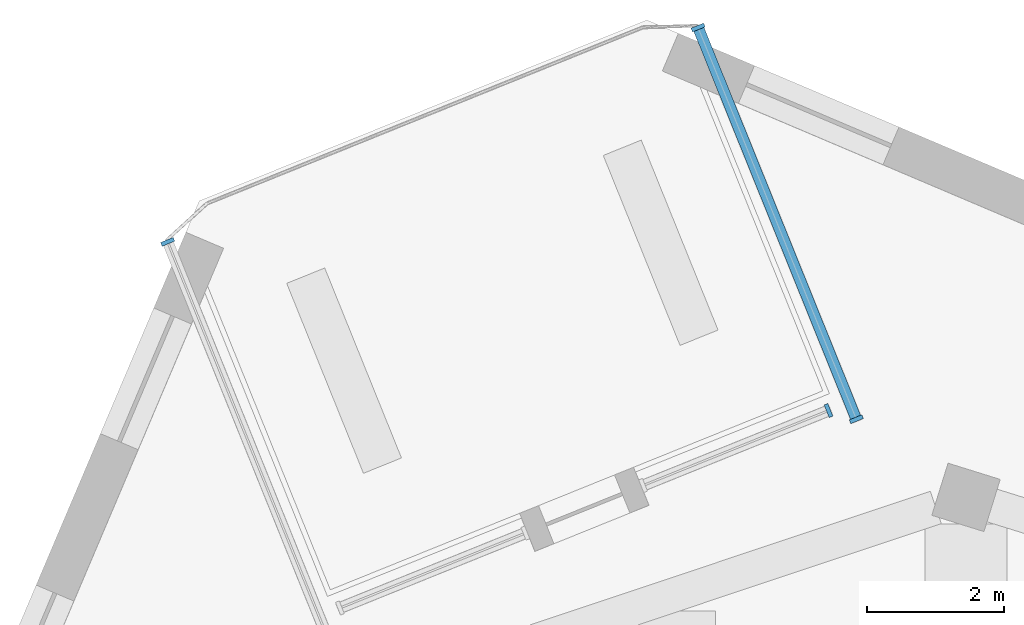
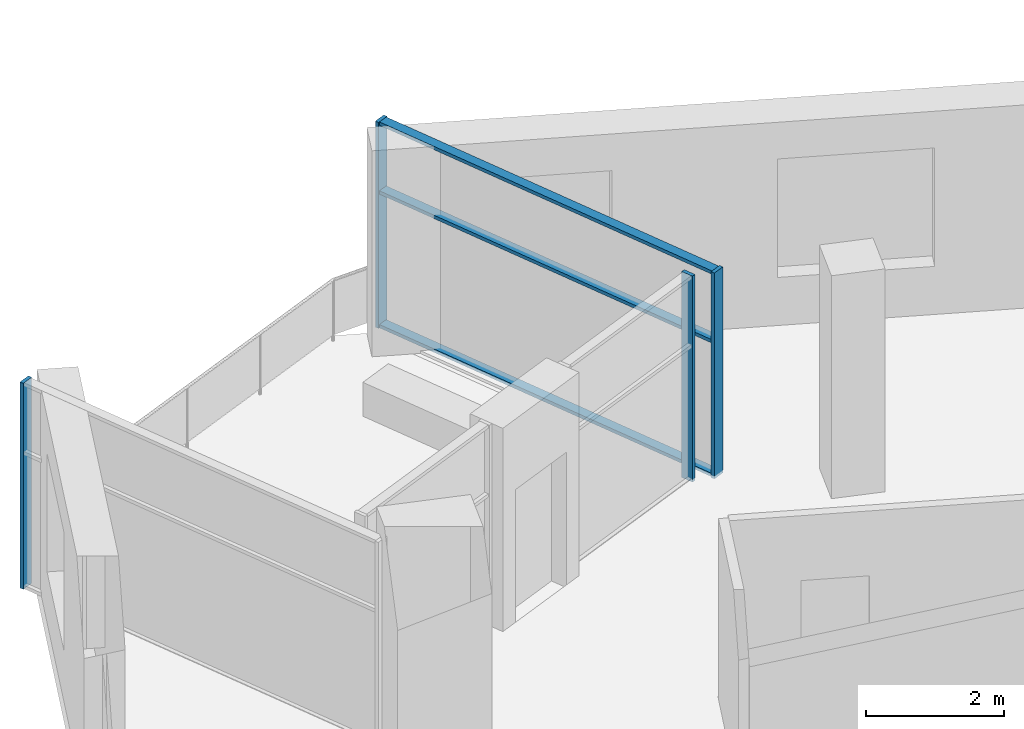
# One storey, part 4 of 13: 7 members, 3 elements without a shape of their own.
"""IFC4 building model written with IfcOpenShell, lengths in metres."""

from ifc_helpers import new_model, si_unit, direction, frame, origin, origin_2d, place, context, subcontext, project, spatial, rectangle, extrude, material, material_profile, profile_set, type_object, element, aggregate, save


model = new_model("IFC4")

# Units and contexts
model_context = context("Model", 3, precision=1e-05, world=origin(), true_north=direction((0.0, 1.0)))
body_context = subcontext(model_context, "Body", "Model", "MODEL_VIEW")
ifc_project = project(units=[si_unit("LENGTHUNIT", "METRE"), si_unit("AREAUNIT", "SQUARE_METRE"), si_unit("VOLUMEUNIT", "CUBIC_METRE"), si_unit("PLANEANGLEUNIT", "RADIAN"), si_unit("MASSUNIT", "GRAM", prefix="KILO")], contexts=[model_context])

# Site, building, storey
site_placement = place(None, origin())
site = spatial("IfcSite", under=ifc_project, at=site_placement, CompositionType="ELEMENT")
building_placement = place(site_placement, origin())
building = spatial("IfcBuilding", under=site, at=building_placement, Name="Dilmun Exchange Tower", CompositionType="ELEMENT")
storey_placement = place(building_placement, frame((0.0, 0.0, 300.5)))
storey = spatial("IfcBuildingStorey", under=building, at=storey_placement, Name="L71", CompositionType="ELEMENT", Elevation=300.5)

# Curtain wall, members
ifc_material_1 = material(Name="Anodised aluminium and clear glass", Category="aluminium")
curtain_wall_type = type_object("IfcCurtainWallType", Name="Garden corner glazing", PredefinedType="NOTDEFINED", material=ifc_material_1)
curtain_wall_1_placement = place(storey_placement, origin())
curtain_wall_1 = element("IfcCurtainWall", 1, at=curtain_wall_1_placement, inside=storey, type_object=curtain_wall_type, Name="Garden corner glazing run GC1.1", PredefinedType="NOTDEFINED")
ifc_material_2 = material(Name="Anodised aluminium", Category="aluminium")
ifc_material_profile_1 = material_profile(ifc_material_2, rectangle(XDim=0.199951171875, YDim=0.06005859375, at=origin_2d()), Name="AL 60x200")
ifc_profile_set_1 = profile_set([ifc_material_profile_1], Name="Anodised aluminium")
member_type_1 = type_object("IfcMemberType", Name="Garden corner glazing mullion 60 x 200", PredefinedType="MULLION", material=ifc_profile_set_1)
member_1_placement = place(storey_placement, frame((-7.779541015625, 36.100341796875, 0.0), z_axis=(0.0, 0.0, 1.0), x_axis=(0.927181535276, 0.374612333812, 0.0)))
member_1 = element("IfcMember", 2, at=member_1_placement, type_object=member_type_1, Name="GC1.1 mullion 1", PredefinedType="MULLION", context=body_context, shape_type="SweptSolid", body=[
    extrude(rectangle(XDim=0.199951171875, YDim=0.06005859375, at=origin_2d()), origin(), (0.0, 0.0, 1.0), 3.64990234375),
])
member_2_placement = place(storey_placement, frame((-5.462158203125, 30.364501953125, 0.0), z_axis=(0.0, 0.0, 1.0), x_axis=(0.927181535276, 0.374612333812, 0.0)))
member_2 = element("IfcMember", 3, at=member_2_placement, type_object=member_type_1, Name="GC1.1 mullion 2", PredefinedType="MULLION", context=body_context, shape_type="SweptSolid", body=[
    extrude(rectangle(XDim=0.199951171875, YDim=0.06005859375, at=origin_2d()), origin(), (0.0, 0.0, 1.0), 3.64990234375),
])

# Curtain wall, member
curtain_wall_2_placement = place(storey_placement, origin())
curtain_wall_2 = element("IfcCurtainWall", 4, at=curtain_wall_2_placement, inside=storey, type_object=curtain_wall_type, Name="Garden corner glazing run GC2.1", PredefinedType="NOTDEFINED")
member_3_placement = place(storey_placement, frame((-5.869140625, 30.4912109375, 0.0), z_axis=(0.0, 0.0, 1.0), x_axis=(0.374589715698, -0.927190673429, 0.0)))
member_3 = element("IfcMember", 5, at=member_3_placement, type_object=member_type_1, Name="GC2.1 mullion 1", PredefinedType="MULLION", context=body_context, shape_type="SweptSolid", body=[
    extrude(rectangle(XDim=0.199951171875, YDim=0.06005859375, at=origin_2d()), origin(), (0.0, 0.0, 1.0), 3.64990234375),
])
aggregate(curtain_wall_2, [member_3])

curtain_wall_3_placement = place(storey_placement, origin())
curtain_wall_3 = element("IfcCurtainWall", 6, at=curtain_wall_3_placement, inside=storey, type_object=curtain_wall_type, Name="Garden corner glazing run GC3.1", PredefinedType="NOTDEFINED")
member_4_placement = place(storey_placement, frame((-15.547607421875, 32.9619140625, 0.0), z_axis=(0.0, 0.0, 1.0), x_axis=(-0.92718072373, -0.374614342415, 0.0)))
member_4 = element("IfcMember", 7, at=member_4_placement, type_object=member_type_1, Name="GC3.1 mullion 2", PredefinedType="MULLION", context=body_context, shape_type="SweptSolid", body=[
    extrude(rectangle(XDim=0.199951171875, YDim=0.06005859375, at=origin_2d()), origin(), (0.0, 0.0, 1.0), 3.64990234375),
])
aggregate(curtain_wall_3, [member_4])

# Member
ifc_material_profile_2 = material_profile(ifc_material_2, rectangle(XDim=0.159912109375, YDim=0.06005859375, at=origin_2d()), Name="AL 60x160")
ifc_profile_set_2 = profile_set([ifc_material_profile_2], Name="Anodised aluminium")
member_type_2 = type_object("IfcMemberType", Name="Garden corner glazing transom 60 x 160", PredefinedType="USERDEFINED", material=ifc_profile_set_2)
member_5_placement = place(storey_placement, frame((-7.768310546875, 36.072509765625, 0.030029296875), z_axis=(0.374604052405, -0.927184881198, 0.0), x_axis=(0.927184881198, 0.374604052405, 0.0)))
member_5 = element("IfcMember", 8, at=member_5_placement, type_object=member_type_2, Name="GC1.1 transom 1.1", ObjectType="TRANSOM", PredefinedType="USERDEFINED", context=body_context, shape_type="SweptSolid", body=[
    extrude(rectangle(XDim=0.159912109375, YDim=0.06005859375, at=origin_2d()), origin(), (0.0, 0.0, 1.0), 6.126220703125),
])

member_6_placement = place(storey_placement, frame((-7.768310546875, 36.072509765625, 2.39990234375), z_axis=(0.374604052405, -0.927184881198, 0.0), x_axis=(0.927184881198, 0.374604052405, 0.0)))
member_6 = element("IfcMember", 9, at=member_6_placement, type_object=member_type_2, Name="GC1.1 transom 1.2", ObjectType="TRANSOM", PredefinedType="USERDEFINED", context=body_context, shape_type="SweptSolid", body=[
    extrude(rectangle(XDim=0.159912109375, YDim=0.06005859375, at=origin_2d()), origin(), (0.0, 0.0, 1.0), 6.126220703125),
])

member_7_placement = place(storey_placement, frame((-7.768310546875, 36.072509765625, 3.6201171875), z_axis=(0.374604052405, -0.927184881198, 0.0), x_axis=(0.927184881198, 0.374604052405, 0.0)))
member_7 = element("IfcMember", 10, at=member_7_placement, type_object=member_type_2, Name="GC1.1 transom 1.3", ObjectType="TRANSOM", PredefinedType="USERDEFINED", context=body_context, shape_type="SweptSolid", body=[
    extrude(rectangle(XDim=0.159912109375, YDim=0.06005859375, at=origin_2d()), origin(), (0.0, 0.0, 1.0), 6.126220703125),
])

aggregate(curtain_wall_1, [member_1, member_2, member_5, member_6, member_7])

save(model, "model.ifc")
